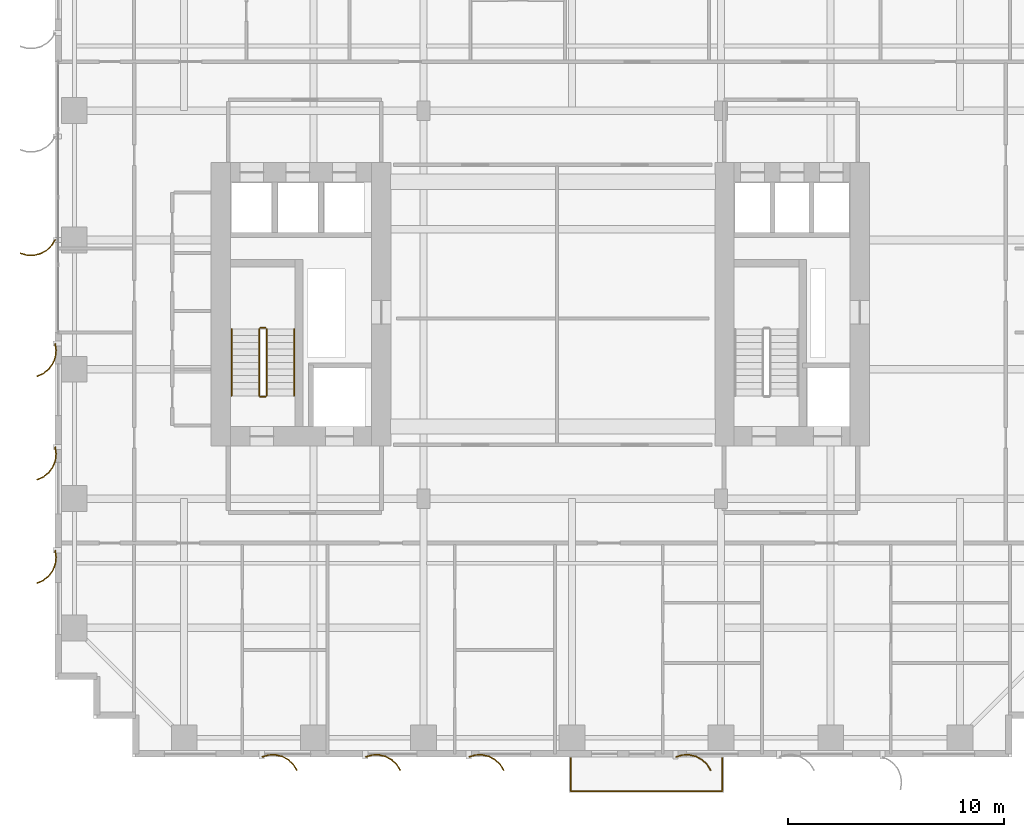
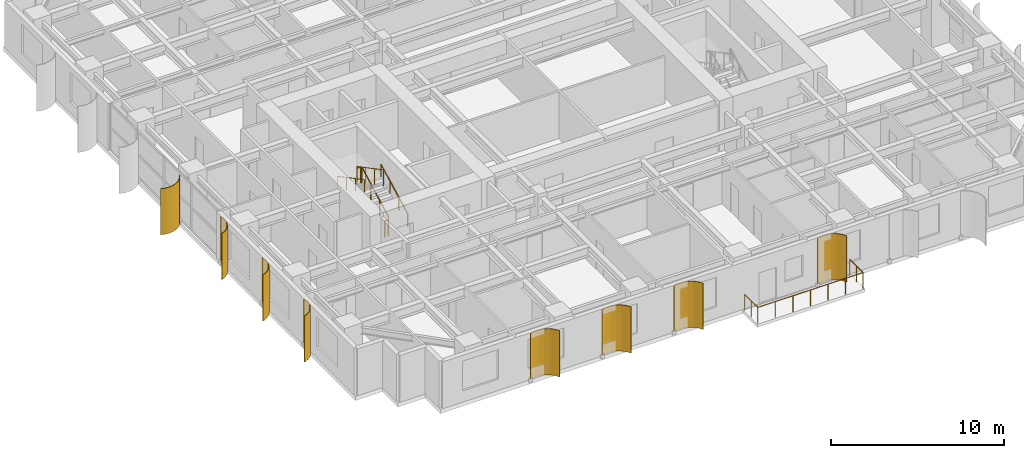
# One storey, part 14 of 17: 8 shading devices, 7 railings.
"""IFC4 building model written with IfcOpenShell, lengths in metres."""

import ifcopenshell
import ifcopenshell.guid

model = None  # the IFC model being written
_history = None  # IfcOwnerHistory: only IFC2X3 demands one
_inside = {}  # id of a spatial element -> (the spatial element, [elements in it])
_under = {}  # id of a project, library or spatial element -> (it, [spatial elements below it])
_declared = {}  # id of a project -> (the project, [libraries it declares])
_typed = {}  # id of a type object -> (the type object, [elements of that type])
_made_of = {}  # id of a material, layer set ... -> (it, [elements and type objects made of it])


def new_model(schema):
    """Start an empty IFC model of exactly this schema.

    Asked for "IFC4X3", IfcOpenShell would pick the latest addendum, in which some entities
    have other attributes; the version numbers below select the first issue.
    IFC2X3 requires an IfcOwnerHistory on every rooted entity: one is made here for all.
    """
    global model, _history
    if schema == "IFC4X3":
        model = ifcopenshell.file(schema_version=(4, 3, 0, 0))
    else:
        model = ifcopenshell.file(schema=schema)
    _inside.clear()
    _under.clear()
    _declared.clear()
    _typed.clear()
    _made_of.clear()
    _history = None
    if model.schema == "IFC2X3":
        org = make("IfcOrganization", Name="unknown")
        user = make(
            "IfcPersonAndOrganization",
            ThePerson=make("IfcPerson", FamilyName="unknown"),
            TheOrganization=org,
        )
        app = make(
            "IfcApplication",
            ApplicationDeveloper=org,
            Version="unknown",
            ApplicationFullName="unknown",
            ApplicationIdentifier="unknown",
        )
        _history = make(
            "IfcOwnerHistory",
            OwningUser=user,
            OwningApplication=app,
            ChangeAction="ADDED",
            CreationDate=0,
        )
    return model


def make(cls, **values):
    """One entity of the class cls with the attributes given. An attribute that is None is left unset."""
    return model.create_entity(
        cls, **{name: value for name, value in values.items() if value is not None}
    )


def rooted(cls, **values):
    """An entity with a GlobalId (a new one), such as an element, a storey or a relation."""
    return make(cls, GlobalId=ifcopenshell.guid.new(), OwnerHistory=_history, **values)


def si_unit(unit_type, name, prefix=None):
    """IfcSIUnit, for example si_unit("LENGTHUNIT", "METRE", prefix="MILLI")."""
    return make("IfcSIUnit", UnitType=unit_type, Prefix=prefix, Name=name)


def assignment(units):
    """IfcUnitAssignment: the units of a project."""
    return None if units is None else make("IfcUnitAssignment", Units=units)


def point(xyz):
    """IfcCartesianPoint."""
    return None if xyz is None else make("IfcCartesianPoint", Coordinates=xyz)


def direction(xyz):
    """IfcDirection."""
    return None if xyz is None else make("IfcDirection", DirectionRatios=xyz)


def frame(location, z_axis=None, x_axis=None):
    """IfcAxis2Placement3D, a coordinate frame: its origin and axes. An axis left out is left unset."""
    return make(
        "IfcAxis2Placement3D",
        Location=point(location),
        Axis=direction(z_axis),
        RefDirection=direction(x_axis),
    )


def frame_2d(location, x_axis=None):
    """IfcAxis2Placement2D, a coordinate frame in the plane: its origin and x axis."""
    return make(
        "IfcAxis2Placement2D", Location=point(location), RefDirection=direction(x_axis)
    )


def origin():
    """The frame at (0, 0, 0) with its axes left unset."""
    return frame((0.0, 0.0, 0.0))


def origin_2d():
    """The frame at (0, 0) in the plane with its x axis left unset."""
    return frame_2d((0.0, 0.0))


def place(relative_to, where):
    """IfcLocalPlacement: puts the frame where relative to a parent placement (None: the world)."""
    return make(
        "IfcLocalPlacement", PlacementRelTo=relative_to, RelativePlacement=where
    )


def context(
    kind, dimensions, precision=None, world=None, true_north=None, identifier=None
):
    """IfcGeometricRepresentationContext, for example the 3D "Model" context."""
    return make(
        "IfcGeometricRepresentationContext",
        ContextIdentifier=identifier,
        ContextType=kind,
        CoordinateSpaceDimension=dimensions,
        Precision=precision,
        WorldCoordinateSystem=world,
        TrueNorth=true_north,
    )


def subcontext(parent, identifier, kind, view, scale=None):
    """IfcGeometricRepresentationSubContext, for example "Body" below "Model"."""
    return make(
        "IfcGeometricRepresentationSubContext",
        ContextIdentifier=identifier,
        ContextType=kind,
        ParentContext=parent,
        TargetScale=scale,
        TargetView=view,
    )


def project(units=None, contexts=None):
    """IfcProject with its units and contexts."""
    return rooted(
        "IfcProject",
        Name="project",
        RepresentationContexts=contexts,
        UnitsInContext=assignment(units),
    )


def spatial(cls, under=None, at=None, **own):
    """A site, building, storey or space (cls), placed at a placement, below another one or the project."""
    s = rooted(cls, ObjectPlacement=at, **own)
    if under is not None:
        _under.setdefault(under.id(), (under, []))[1].append(s)
    return s


def polyline(points):
    """IfcPolyline through the points."""
    return make("IfcPolyline", Points=[point(p) for p in points])


def profile(cls, at=None, kind="AREA", **sizes):
    """A parametric profile (cls). Its sizes go by their IFC names, for example OverallWidth=200.0."""
    return make(cls, ProfileType=kind, Position=at, **sizes)


def circle(**sizes):
    """IfcCircleProfileDef."""
    return profile("IfcCircleProfileDef", **sizes)


def outline(outer, holes=None, kind="AREA"):
    """IfcArbitraryClosedProfileDef: a profile drawn as a closed curve; with holes, ...WithVoids."""
    if holes is None:
        return make("IfcArbitraryClosedProfileDef", ProfileType=kind, OuterCurve=outer)
    return make(
        "IfcArbitraryProfileDefWithVoids",
        ProfileType=kind,
        OuterCurve=outer,
        InnerCurves=holes,
    )


def extrude(swept, where, along, depth):
    """IfcExtrudedAreaSolid: the profile swept, set in the frame where, extruded along a direction by depth."""
    return make(
        "IfcExtrudedAreaSolid",
        SweptArea=swept,
        Position=where,
        ExtrudedDirection=direction(along),
        Depth=depth,
    )


def shape(context_of_items, identifier, shape_type, items):
    """IfcShapeRepresentation: the items that make up one representation, for example the "Body"."""
    return make(
        "IfcShapeRepresentation",
        ContextOfItems=context_of_items,
        RepresentationIdentifier=identifier,
        RepresentationType=shape_type,
        Items=items,
    )


def source(mapping_origin, context_of_items, identifier, shape_type, items):
    """IfcRepresentationMap: a shape defined once, which mapped items show again and again."""
    return make(
        "IfcRepresentationMap",
        MappingOrigin=mapping_origin,
        MappedRepresentation=shape(context_of_items, identifier, shape_type, items),
    )


def transform(
    local_origin,
    x_axis=None,
    y_axis=None,
    z_axis=None,
    scale=None,
    scale2=None,
    scale3=None,
    uniform=True,
):
    """IfcCartesianTransformationOperator3D, or its non-uniform kind. x_axis, y_axis, z_axis: its Axis1, 2, 3."""
    if uniform:
        return make(
            "IfcCartesianTransformationOperator3D",
            Axis1=direction(x_axis),
            Axis2=direction(y_axis),
            LocalOrigin=point(local_origin),
            Scale=scale,
            Axis3=direction(z_axis),
        )
    return make(
        "IfcCartesianTransformationOperator3DnonUniform",
        Axis1=direction(x_axis),
        Axis2=direction(y_axis),
        LocalOrigin=point(local_origin),
        Scale=scale,
        Axis3=direction(z_axis),
        Scale2=scale2,
        Scale3=scale3,
    )


def mapped(mapping_source, mapping_target):
    """IfcMappedItem: shows the shape of a source again, moved by a transform."""
    return make(
        "IfcMappedItem", MappingSource=mapping_source, MappingTarget=mapping_target
    )


def material(Name=None, Category=None):
    """IfcMaterial."""
    return make("IfcMaterial", Name=Name, Category=Category)


def layer(
    of_material, thickness, ventilated=None, Name=None, Category=None, Priority=None
):
    """IfcMaterialLayer: one layer of a wall or slab, of a material (None: an air gap)."""
    return make(
        "IfcMaterialLayer",
        Material=of_material,
        LayerThickness=thickness,
        IsVentilated=ventilated,
        Name=Name,
        Category=Category,
        Priority=Priority,
    )


def layer_set(layers, Name=None):
    """IfcMaterialLayerSet."""
    return make("IfcMaterialLayerSet", MaterialLayers=layers, LayerSetName=Name)


def made_of(thing, what):
    """Note that an element or type object is made of a material, layer set ...; save() writes the relation."""
    if what is not None:
        _made_of.setdefault(what.id(), (what, []))[1].append(thing)
    return thing


def type_object(cls, material=None, **own):
    """A type object (cls), such as IfcWallType, which elements share."""
    return made_of(rooted(cls, **own), material)


def element(
    cls,
    number,
    at=None,
    inside=None,
    cuts=None,
    type_object=None,
    material=None,
    context=None,
    identifier="Body",
    shape_type=None,
    held_by="IfcProductDefinitionShape",
    body=None,
    shapes=None,
    **own,
):
    """One element of the class cls, such as IfcWall. Its Tag is "e" and its number.

    at: its placement. inside: the storey or other place that contains it. cuts: it is an
    opening in that element (IfcRelVoidsElement). A single representation is given by context,
    identifier, shape_type and body (its items); several are given by shapes. held_by: the class
    of the entity that holds the representations. save() writes the other relations.
    """
    e = rooted(cls, Tag="e%d" % number, ObjectPlacement=at, **own)
    if body is not None:
        shapes = [shape(context, identifier, shape_type, body)]
    if shapes is not None:
        e.Representation = make(held_by, Representations=shapes)
    if inside is not None:
        _inside.setdefault(inside.id(), (inside, []))[1].append(e)
    if cuts is not None:
        rooted(
            "IfcRelVoidsElement", RelatingBuildingElement=cuts, RelatedOpeningElement=e
        )
    if type_object is not None:
        _typed.setdefault(type_object.id(), (type_object, []))[1].append(e)
    return made_of(e, material)


def aggregate(whole, parts):
    """IfcRelAggregates: a whole, such as a stair, and the parts it consists of."""
    return rooted("IfcRelAggregates", RelatingObject=whole, RelatedObjects=parts)


def save(model, path):
    """Write the relations noted so far, then the file.

    IfcRelAggregates (storeys below a building ...), IfcRelContainedInSpatialStructure (elements
    in a storey), IfcRelDefinesByType, IfcRelAssociatesMaterial and IfcRelDeclares: one each for
    every whole, place, type object, material and project.
    """
    for whole, parts in _under.values():
        aggregate(whole, parts)
    for where, things in _inside.values():
        rooted(
            "IfcRelContainedInSpatialStructure",
            RelatedElements=things,
            RelatingStructure=where,
        )
    for kind, things in _typed.values():
        rooted("IfcRelDefinesByType", RelatedObjects=things, RelatingType=kind)
    for what, things in _made_of.values():
        rooted("IfcRelAssociatesMaterial", RelatedObjects=things, RelatingMaterial=what)
    for by, libraries in _declared.values():
        rooted("IfcRelDeclares", RelatingContext=by, RelatedDefinitions=libraries)
    model.write(path)


model = new_model("IFC4")

# Units and contexts
model_context = context("Model", 3, precision=1e-05, world=origin(), true_north=direction((0.0, 1.0)))
body_context = subcontext(model_context, "Body", "Model", "MODEL_VIEW")
ifc_project = project(units=[si_unit("LENGTHUNIT", "METRE"), si_unit("AREAUNIT", "SQUARE_METRE"), si_unit("VOLUMEUNIT", "CUBIC_METRE"), si_unit("PLANEANGLEUNIT", "RADIAN"), si_unit("MASSUNIT", "GRAM", prefix="KILO")], contexts=[model_context])

# Site, building, storey
site_placement = place(None, origin())
site = spatial("IfcSite", under=ifc_project, at=site_placement, CompositionType="ELEMENT")
building_placement = place(site_placement, origin())
building = spatial("IfcBuilding", under=site, at=building_placement, Name="Khoralis Quay Care Tower", CompositionType="ELEMENT")
storey_placement = place(building_placement, frame((0.0, 0.0, 58.5)))
storey = spatial("IfcBuildingStorey", under=building, at=storey_placement, Name="L15", CompositionType="ELEMENT", Elevation=58.5)

# Railings
ifc_material_1 = material(Name="Pale anodised aluminium", Category="aluminium")
railing_type_1 = type_object("IfcRailingType", Name="RL-BALUST-1150", PredefinedType="BALUSTRADE", material=ifc_material_1)
railing_1_placement = place(storey_placement, frame((23.929931640625, -0.0400390625, -0.06005859375)))
element("IfcRailing", 1, at=railing_1_placement, inside=storey, type_object=railing_type_1, Name="L15 Senior Loggia Balcony Guard", PredefinedType="BALUSTRADE", context=body_context, shape_type="SweptSolid", body=[
    extrude(circle(Radius=0.02392578125, at=origin_2d()), frame((0.0, 0.0, 1.1259765625), z_axis=(0.0, -1.0, 0.0), x_axis=(1.0, 0.0, 0.0)), (0.0, 0.0, 1.0), 1.530029296875),
    extrude(circle(Radius=0.02392578125, at=origin_2d()), frame((0.0, -1.530029296875, 1.1259765625), z_axis=(1.0, 0.0, 0.0), x_axis=(0.0, 1.0, 0.0)), (0.0, 0.0, 1.0), 7.0400390625),
    extrude(circle(Radius=0.02392578125, at=origin_2d()), frame((7.0400390625, -1.530029296875, 1.1259765625), z_axis=(0.0, 1.0, 0.0), x_axis=(-1.0, 0.0, 0.0)), (0.0, 0.0, 1.0), 1.530029296875),
    extrude(circle(Radius=0.02099609375, at=origin_2d()), origin(), (0.0, 0.0, 1.0), 1.101806640625),
    extrude(circle(Radius=0.02099609375, at=origin_2d()), frame((0.0, -0.76513671875, 0.0)), (0.0, 0.0, 1.0), 1.101806640625),
    extrude(circle(Radius=0.02099609375, at=origin_2d()), frame((0.0, -1.530029296875, 0.0)), (0.0, 0.0, 1.0), 1.101806640625),
    extrude(circle(Radius=0.02099609375, at=origin_2d()), frame((1.17333984375, -1.530029296875, 0.0)), (0.0, 0.0, 1.0), 1.101806640625),
    extrude(circle(Radius=0.02099609375, at=origin_2d()), frame((2.3466796875, -1.530029296875, 0.0)), (0.0, 0.0, 1.0), 1.101806640625),
    extrude(circle(Radius=0.02099609375, at=origin_2d()), frame((3.52001953125, -1.530029296875, 0.0)), (0.0, 0.0, 1.0), 1.101806640625),
    extrude(circle(Radius=0.02099609375, at=origin_2d()), frame((4.693359375, -1.530029296875, 0.0)), (0.0, 0.0, 1.0), 1.101806640625),
    extrude(circle(Radius=0.02099609375, at=origin_2d()), frame((5.86669921875, -1.530029296875, 0.0)), (0.0, 0.0, 1.0), 1.101806640625),
    extrude(circle(Radius=0.02099609375, at=origin_2d()), frame((7.0400390625, -1.530029296875, 0.0)), (0.0, 0.0, 1.0), 1.101806640625),
    extrude(circle(Radius=0.02099609375, at=origin_2d()), frame((7.0400390625, -0.76513671875, 0.0)), (0.0, 0.0, 1.0), 1.101806640625),
    extrude(circle(Radius=0.02099609375, at=origin_2d()), frame((7.0400390625, 0.0, 0.0)), (0.0, 0.0, 1.0), 1.101806640625),
])
ifc_material_2 = material(Name="Brushed stainless steel", Category="steel")
railing_type_2 = type_object("IfcRailingType", Name="RL-GUARD-1150", PredefinedType="GUARDRAIL", material=ifc_material_2)
railing_2_placement = place(storey_placement, frame((9.820068359375, 16.77001953125, 0.16357421875)))
element("IfcRailing", 2, at=railing_2_placement, inside=storey, type_object=railing_type_2, Name="L15 ST-T1 stair guard 1", PredefinedType="GUARDRAIL", context=body_context, shape_type="SweptSolid", body=[
    extrude(circle(Radius=0.02392578125, at=origin_2d()), frame((0.0, 0.0, 1.1259765625), z_axis=(0.0, 0.884348015382, 0.466828220752), x_axis=(-1.0, 0.0, 0.0)), (0.0, 0.0, 1.0), 3.505615234375),
    extrude(circle(Radius=0.02099609375, at=origin_2d()), origin(), (0.0, 0.0, 1.0), 1.101806640625),
    extrude(circle(Radius=0.02099609375, at=origin_2d()), frame((0.0, 1.033447265625, 0.54541015625)), (0.0, 0.0, 1.0), 1.101806640625),
    extrude(circle(Radius=0.02099609375, at=origin_2d()), frame((0.0, 2.066650390625, 1.091064453125)), (0.0, 0.0, 1.0), 1.101806640625),
    extrude(circle(Radius=0.02099609375, at=origin_2d()), frame((0.0, 3.10009765625, 1.636474609375)), (0.0, 0.0, 1.0), 1.101806640625),
])
railing_3_placement = place(storey_placement, frame((9.77001953125, 19.919921875, 1.800048828125)))
element("IfcRailing", 3, at=railing_3_placement, inside=storey, type_object=railing_type_2, Name="L15 ST-T1 stair guard 2", PredefinedType="GUARDRAIL", context=body_context, shape_type="SweptSolid", body=[
    extrude(circle(Radius=0.02392578125, at=origin_2d()), frame((0.0, 0.0, 1.1259765625), z_axis=(-1.0, 0.0, 0.0), x_axis=(0.0, -1.0, 0.0)), (0.0, 0.0, 1.0), 0.239990234375),
    extrude(circle(Radius=0.02099609375, at=origin_2d()), origin(), (0.0, 0.0, 1.0), 1.101806640625),
    extrude(circle(Radius=0.02099609375, at=origin_2d()), frame((-0.239990234375, 0.0, 0.0)), (0.0, 0.0, 1.0), 1.101806640625),
])
railing_4_placement = place(storey_placement, frame((9.47998046875, 19.8701171875, 1.963623046875)))
element("IfcRailing", 4, at=railing_4_placement, inside=storey, type_object=railing_type_2, Name="L15 ST-T1 stair guard 3", PredefinedType="GUARDRAIL", context=body_context, shape_type="SweptSolid", body=[
    extrude(circle(Radius=0.02392578125, at=origin_2d()), frame((0.0, 0.0, 1.1259765625), z_axis=(0.0, -0.884348015382, 0.466828220752), x_axis=(1.0, 0.0, 0.0)), (0.0, 0.0, 1.0), 3.505615234375),
    extrude(circle(Radius=0.02099609375, at=origin_2d()), origin(), (0.0, 0.0, 1.0), 1.101806640625),
    extrude(circle(Radius=0.02099609375, at=origin_2d()), frame((0.0, -1.033447265625, 0.54541015625)), (0.0, 0.0, 1.0), 1.101806640625),
    extrude(circle(Radius=0.02099609375, at=origin_2d()), frame((0.0, -2.066650390625, 1.091064453125)), (0.0, 0.0, 1.0), 1.101806640625),
    extrude(circle(Radius=0.02099609375, at=origin_2d()), frame((0.0, -3.10009765625, 1.636474609375)), (0.0, 0.0, 1.0), 1.101806640625),
])
railing_5_placement = place(storey_placement, frame((9.77001953125, 16.719970703125, 0.0)))
element("IfcRailing", 5, at=railing_5_placement, inside=storey, type_object=railing_type_2, Name="L15 ST-T1 stair guard 4", PredefinedType="GUARDRAIL", context=body_context, shape_type="SweptSolid", body=[
    extrude(circle(Radius=0.02392578125, at=origin_2d()), frame((0.0, 0.0, 1.1259765625), z_axis=(-1.0, 0.0, 0.0), x_axis=(0.0, -1.0, 0.0)), (0.0, 0.0, 1.0), 0.239990234375),
    extrude(circle(Radius=0.02099609375, at=origin_2d()), origin(), (0.0, 0.0, 1.0), 1.101806640625),
    extrude(circle(Radius=0.02099609375, at=origin_2d()), frame((-0.239990234375, 0.0, 0.0)), (0.0, 0.0, 1.0), 1.101806640625),
])
railing_type_3 = type_object("IfcRailingType", Name="RL-HAND-900", PredefinedType="HANDRAIL", material=ifc_material_2)
railing_6_placement = place(storey_placement, frame((11.10009765625, 16.77001953125, 0.16357421875)))
element("IfcRailing", 6, at=railing_6_placement, inside=storey, type_object=railing_type_3, Name="L15 ST-T1 stair handrail 1", PredefinedType="HANDRAIL", context=body_context, shape_type="SweptSolid", body=[
    extrude(circle(Radius=0.02392578125, at=origin_2d()), frame((0.0, 0.0, 0.8759765625), z_axis=(0.0, 0.884348015382, 0.466828220752), x_axis=(-1.0, 0.0, 0.0)), (0.0, 0.0, 1.0), 3.505615234375),
    extrude(circle(Radius=0.02099609375, at=origin_2d()), origin(), (0.0, 0.0, 1.0), 0.851806640625),
    extrude(circle(Radius=0.02099609375, at=origin_2d()), frame((0.0, 1.033447265625, 0.54541015625)), (0.0, 0.0, 1.0), 0.851806640625),
    extrude(circle(Radius=0.02099609375, at=origin_2d()), frame((0.0, 2.066650390625, 1.091064453125)), (0.0, 0.0, 1.0), 0.851806640625),
    extrude(circle(Radius=0.02099609375, at=origin_2d()), frame((0.0, 3.10009765625, 1.636474609375)), (0.0, 0.0, 1.0), 0.851806640625),
])
railing_7_placement = place(storey_placement, frame((8.199951171875, 19.8701171875, 1.963623046875)))
element("IfcRailing", 7, at=railing_7_placement, inside=storey, type_object=railing_type_3, Name="L15 ST-T1 stair handrail 2", PredefinedType="HANDRAIL", context=body_context, shape_type="SweptSolid", body=[
    extrude(circle(Radius=0.02392578125, at=origin_2d()), frame((0.0, 0.0, 0.8759765625), z_axis=(0.0, -0.884348015382, 0.466828220752), x_axis=(1.0, 0.0, 0.0)), (0.0, 0.0, 1.0), 3.505615234375),
    extrude(circle(Radius=0.02099609375, at=origin_2d()), origin(), (0.0, 0.0, 1.0), 0.851806640625),
    extrude(circle(Radius=0.02099609375, at=origin_2d()), frame((0.0, -1.033447265625, 0.54541015625)), (0.0, 0.0, 1.0), 0.851806640625),
    extrude(circle(Radius=0.02099609375, at=origin_2d()), frame((0.0, -2.066650390625, 1.091064453125)), (0.0, 0.0, 1.0), 0.851806640625),
    extrude(circle(Radius=0.02099609375, at=origin_2d()), frame((0.0, -3.10009765625, 1.636474609375)), (0.0, 0.0, 1.0), 0.851806640625),
])

# Shading devices
ifc_material_3 = material(Name="Brushed pale anodised aluminium", Category="aluminium")
ifc_layer = layer(ifc_material_3, 0.044921875)
ifc_layer_set = layer_set([ifc_layer], Name="Brushed pale anodised aluminium")
shading_device_type = type_object("IfcShadingDeviceType", Name="SHD-FIN-1250", PredefinedType="USERDEFINED", material=ifc_layer_set)
shared_shape_1 = source(origin(), body_context, "Body", "SweptSolid", [
    extrude(outline(polyline([(0.0, 0.0), (0.17041015625, 0.2783203125), (0.4072265625, 0.5029296875), (0.694091796875, 0.658447265625), (1.01123046875, 0.734619140625), (1.33740234375, 0.72607421875), (1.650390625, 0.633544921875), (1.632080078125, 0.59228515625), (1.330322265625, 0.681640625), (1.015869140625, 0.68994140625), (0.710205078125, 0.616455078125), (0.43359375, 0.466552734375), (0.20556640625, 0.25), (0.041015625, -0.018310546875), (0.0, 0.0)])), origin(), (0.0, 0.0, 1.0), 3.260009765625),
])
shading_device_placement = place(storey_placement, frame((0.030029296875, 24.0, 0.02001953125), z_axis=(0.0, 0.0, 1.0), x_axis=(-1.0, 0.0, 0.0)))
element("IfcShadingDevice", 8, at=shading_device_placement, inside=storey, type_object=shading_device_type, Name="L15 Curved Solar Fin P1E15-04", ObjectType="FIN", PredefinedType="USERDEFINED", context=body_context, shape_type="MappedRepresentation", body=[
    mapped(shared_shape_1, transform((0.0, 0.0, 0.0), scale=1.0)),
])
shared_shape_2 = source(origin(), body_context, "Body", "SweptSolid", [
    extrude(outline(polyline([(0.0, 0.0), (-0.04833984375, 0.32275390625), (-0.01123046875, 0.64697265625), (0.1083984375, 0.950439453125), (0.302490234375, 1.212890625), (0.557861328125, 1.416015625), (0.85693359375, 1.546142578125), (0.869384765625, 1.5029296875), (0.5810546875, 1.37744140625), (0.334716796875, 1.181640625), (0.147705078125, 0.9287109375), (0.032470703125, 0.635986328125), (-0.003173828125, 0.323486328125), (0.043212890625, 0.012451171875), (0.0, 0.0)])), origin(), (0.0, 0.0, 1.0), 3.260009765625),
])
for number, where, z_axis, x_axis, name in (
    (9, (0.030029296875, 19.199951171875, 0.02001953125), (0.0, 0.0, 1.0), (-1.0, 0.0, 0.0), "L15 Curved Solar Fin P1E15-05"),
    (10, (0.030029296875, 14.39990234375, 0.02001953125), (0.0, 0.0, 1.0), (-1.0, 0.0, 0.0), "L15 Curved Solar Fin P1E15-06"),
    (11, (0.030029296875, 9.60009765625, 0.02001953125), (0.0, 0.0, 1.0), (-1.0, 0.0, 0.0), "L15 Curved Solar Fin P1E15-07"),
):
    element("IfcShadingDevice", number, at=place(storey_placement, frame(where, z_axis=z_axis, x_axis=x_axis)), inside=storey, type_object=shading_device_type, Name=name, ObjectType="FIN", PredefinedType="USERDEFINED", context=body_context, shape_type="MappedRepresentation", body=[
        mapped(shared_shape_2, transform((0.0, 0.0, 0.0), scale=1.0)),
    ])
shared_shape_3 = source(origin(), body_context, "Body", "SweptSolid", [
    extrude(outline(polyline([(0.0, 0.0), (-0.0927734375, 0.31298828125), (-0.101318359375, 0.63916015625), (-0.025146484375, 0.956298828125), (0.130615234375, 1.2431640625), (0.355224609375, 1.479736328125), (0.633544921875, 1.650390625), (0.65185546875, 1.609130859375), (0.383544921875, 1.44482421875), (0.1669921875, 1.216796875), (0.01708984375, 0.940185546875), (-0.056396484375, 0.63427734375), (-0.04833984375, 0.31982421875), (0.041015625, 0.018310546875), (0.0, 0.0)])), origin(), (0.0, 0.0, 1.0), 3.260009765625),
])
for number, where, z_axis, x_axis, name in (
    (12, (9.60009765625, 0.030029296875, 0.02001953125), (0.0, 0.0, 1.0), (0.0, -1.0, 0.0), "L15 Curved Solar Fin P1E0-01"),
    (13, (14.39990234375, 0.030029296875, 0.02001953125), (0.0, 0.0, 1.0), (0.0, -1.0, 0.0), "L15 Curved Solar Fin P1E0-02"),
    (14, (19.199951171875, 0.030029296875, 0.02001953125), (0.0, 0.0, 1.0), (0.0, -1.0, 0.0), "L15 Curved Solar Fin P1E0-03"),
    (15, (28.800048828125, 0.030029296875, 0.02001953125), (0.0, 0.0, 1.0), (0.0, -1.0, 0.0), "L15 Curved Solar Fin P1E0-05"),
):
    element("IfcShadingDevice", number, at=place(storey_placement, frame(where, z_axis=z_axis, x_axis=x_axis)), inside=storey, type_object=shading_device_type, Name=name, ObjectType="FIN", PredefinedType="USERDEFINED", context=body_context, shape_type="MappedRepresentation", body=[
        mapped(shared_shape_3, transform((0.0, 0.0, 0.0), scale=1.0)),
    ])

save(model, "model.ifc")
